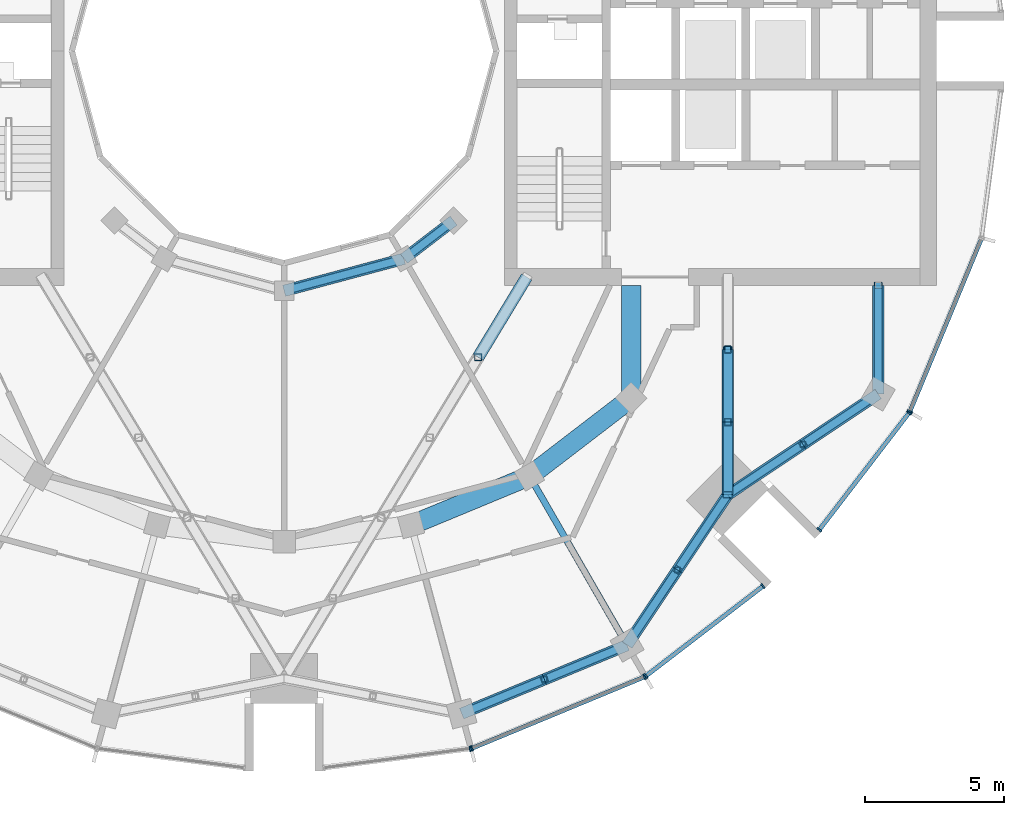
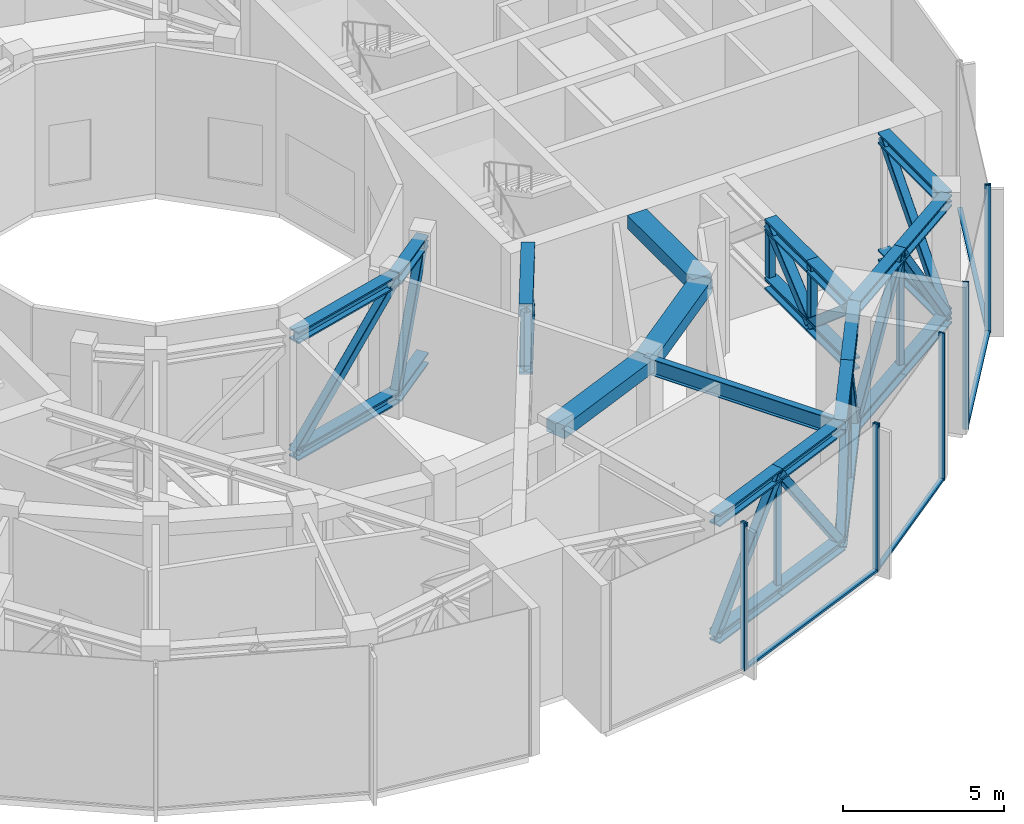
# One storey, part 5 of 18: 53 members, 4 beams, 5 elements without a shape of their own.
"""IFC4 building model written with IfcOpenShell, lengths in metres."""

from ifc_helpers import new_model, si_unit, direction, frame, origin, origin_2d, place, context, subcontext, project, spatial, rectangle, hollow_rectangle, i_section, extrude, material, layer, layer_set, material_profile, profile_set, type_object, element, aggregate, save


model = new_model("IFC4")

# Units and contexts
model_context = context("Model", 3, precision=1e-05, world=origin(), true_north=direction((0.0, 1.0)))
body_context = subcontext(model_context, "Body", "Model", "MODEL_VIEW")
ifc_project = project(units=[si_unit("LENGTHUNIT", "METRE"), si_unit("AREAUNIT", "SQUARE_METRE"), si_unit("VOLUMEUNIT", "CUBIC_METRE"), si_unit("PLANEANGLEUNIT", "RADIAN"), si_unit("MASSUNIT", "GRAM", prefix="KILO")], contexts=[model_context])

# Site, building, storey
site_placement = place(None, origin())
site = spatial("IfcSite", under=ifc_project, at=site_placement, CompositionType="ELEMENT")
building_placement = place(site_placement, origin())
building = spatial("IfcBuilding", under=site, at=building_placement, Name="Torre Brocal", CompositionType="ELEMENT")
storey_placement = place(building_placement, frame((0.0, 0.0, 206.89990234375)))
storey = spatial("IfcBuildingStorey", under=building, at=storey_placement, Name="L48", CompositionType="ELEMENT", Elevation=206.89990234375)

# Members
ifc_material_1 = material(Name="Steel A500 Grade C", Category="steel")
ifc_material_profile_1 = material_profile(ifc_material_1, hollow_rectangle(XDim=0.203125, YDim=0.203125, WallThickness=0.01171875, InnerFilletRadius=0.01171875, OuterFilletRadius=0.023681640625, at=origin_2d()), Name="HSS8X8X1/2")
ifc_profile_set_1 = profile_set([ifc_material_profile_1], Name="Steel A500 Grade C")
member_type_1 = type_object("IfcMemberType", Name="BELT 2 POST HSS8X8X1/2", PredefinedType="POST", material=ifc_profile_set_1)
for number, where, z_axis, x_axis, name in (
    (1, (89.33349609375, 52.467041015625, 0.6171875), (0.0, 0.0, 1.0), (1.0, 0.0, 0.0), "Member BT2-P16"),
    (2, (94.10498046875, 56.392822265625, 0.6171875), (0.0, 0.0, 1.0), (1.0, 0.0, 0.0), "Member BT2-P17"),
    (3, (98.607177734375, 60.89501953125, 0.6171875), (0.0, 0.0, 1.0), (1.0, 0.0, 0.0), "Member BT2-P18"),
):
    element("IfcMember", number, at=place(storey_placement, frame(where, z_axis=z_axis, x_axis=x_axis)), inside=storey, type_object=member_type_1, Name=name, PredefinedType="POST", context=body_context, shape_type="SweptSolid", body=[
        extrude(hollow_rectangle(XDim=0.203125, YDim=0.203125, WallThickness=0.01171875, InnerFilletRadius=0.01171875, OuterFilletRadius=0.023681640625, at=origin_2d()), origin(), (0.0, 0.0, 1.0), 4.44580078125),
    ])

# Curtain wall, member
ifc_material_2 = material(Name="Aluminium and glass", Category="aluminium")
ifc_layer = layer(ifc_material_2, 0.199951171875)
ifc_layer_set = layer_set([ifc_layer], Name="Aluminium and glass")
curtain_wall_type = type_object("IfcCurtainWallType", Name="CW-1 CURTAIN WALL 5600 HIGH", PredefinedType="NOTDEFINED", material=ifc_layer_set)
curtain_wall_1_placement = place(storey_placement, origin())
curtain_wall_1 = element("IfcCurtainWall", 4, at=curtain_wall_1_placement, inside=storey, type_object=curtain_wall_type, Name="CW-1 RUN 19", PredefinedType="NOTDEFINED")
ifc_material_3 = material(Name="Aluminium, dark anodised", Category="aluminium")
ifc_material_profile_2 = material_profile(ifc_material_3, rectangle(XDim=0.199951171875, YDim=0.06005859375, at=origin_2d()), Name="CW-1 MULLION 60X200")
ifc_profile_set_2 = profile_set([ifc_material_profile_2], Name="Aluminium, dark anodised")
member_type_2 = type_object("IfcMemberType", Name="CW-1 MULLION 60X200", PredefinedType="MULLION", material=ifc_profile_set_2)
member_1_placement = place(storey_placement, frame((86.67333984375, 49.9794921875, 0.0), z_axis=(0.0, 0.0, 1.0), x_axis=(-0.13052619222, 0.991444861374, 0.0)))
member_1 = element("IfcMember", 5, at=member_1_placement, type_object=member_type_2, Name="CW1-2 mullion 2", PredefinedType="MULLION", context=body_context, shape_type="SweptSolid", body=[
    extrude(rectangle(XDim=0.199951171875, YDim=0.06005859375, at=origin_2d()), origin(), (0.0, 0.0, 1.0), 5.60009765625),
])
aggregate(curtain_wall_1, [member_1])

# Curtain wall, members
curtain_wall_2_placement = place(storey_placement, origin())
curtain_wall_2 = element("IfcCurtainWall", 6, at=curtain_wall_2_placement, inside=storey, type_object=curtain_wall_type, Name="CW-1 RUN 20", PredefinedType="NOTDEFINED")
member_2_placement = place(storey_placement, frame((86.73095703125, 49.994873046875, 0.0), z_axis=(0.0, 0.0, 1.0), x_axis=(-0.382683432333, 0.923879532525, 0.0)))
member_2 = element("IfcMember", 7, at=member_2_placement, type_object=member_type_2, Name="CW1-2 mullion 1", PredefinedType="MULLION", context=body_context, shape_type="SweptSolid", body=[
    extrude(rectangle(XDim=0.199951171875, YDim=0.06005859375, at=origin_2d()), origin(), (0.0, 0.0, 1.0), 5.60009765625),
])
member_3_placement = place(storey_placement, frame((92.921875, 52.559326171875, 0.0), z_axis=(0.0, 0.0, 1.0), x_axis=(-0.382683432333, 0.923879532525, 0.0)))
member_3 = element("IfcMember", 8, at=member_3_placement, type_object=member_type_2, Name="CW1-2 mullion 2", PredefinedType="MULLION", context=body_context, shape_type="SweptSolid", body=[
    extrude(rectangle(XDim=0.199951171875, YDim=0.06005859375, at=origin_2d()), origin(), (0.0, 0.0, 1.0), 5.60009765625),
])

curtain_wall_3_placement = place(storey_placement, origin())
curtain_wall_3 = element("IfcCurtainWall", 9, at=curtain_wall_3_placement, inside=storey, type_object=curtain_wall_type, Name="CW-1 RUN 21", PredefinedType="NOTDEFINED")
member_4_placement = place(storey_placement, frame((92.973388671875, 52.5888671875, 0.0), z_axis=(0.0, 0.0, 1.0), x_axis=(-0.60876142905, 0.793353340259, 0.0)))
member_4 = element("IfcMember", 10, at=member_4_placement, type_object=member_type_2, Name="CW1-2 mullion 1", PredefinedType="MULLION", context=body_context, shape_type="SweptSolid", body=[
    extrude(rectangle(XDim=0.199951171875, YDim=0.06005859375, at=origin_2d()), origin(), (0.0, 0.0, 1.0), 5.60009765625),
])
member_5_placement = place(storey_placement, frame((97.16943359375, 55.80859375, 0.0), z_axis=(0.0, 0.0, 1.0), x_axis=(-0.60876142905, 0.793353340259, 0.0)))
member_5 = element("IfcMember", 11, at=member_5_placement, type_object=member_type_2, Name="CW1-2 mullion 2", PredefinedType="MULLION", context=body_context, shape_type="SweptSolid", body=[
    extrude(rectangle(XDim=0.199951171875, YDim=0.06005859375, at=origin_2d()), origin(), (0.0, 0.0, 1.0), 5.60009765625),
])

curtain_wall_4_placement = place(storey_placement, origin())
curtain_wall_4 = element("IfcCurtainWall", 12, at=curtain_wall_4_placement, inside=storey, type_object=curtain_wall_type, Name="CW-1 RUN 22", PredefinedType="NOTDEFINED")
member_6_placement = place(storey_placement, frame((99.19140625, 57.83056640625, 0.0), z_axis=(0.0, 0.0, 1.0), x_axis=(-0.793353340259, 0.60876142905, 0.0)))
member_6 = element("IfcMember", 13, at=member_6_placement, type_object=member_type_2, Name="CW1-2 mullion 1", PredefinedType="MULLION", context=body_context, shape_type="SweptSolid", body=[
    extrude(rectangle(XDim=0.199951171875, YDim=0.06005859375, at=origin_2d()), origin(), (0.0, 0.0, 1.0), 5.60009765625),
])
member_7_placement = place(storey_placement, frame((102.4111328125, 62.026611328125, 0.0), z_axis=(0.0, 0.0, 1.0), x_axis=(-0.793353340259, 0.60876142905, 0.0)))
member_7 = element("IfcMember", 14, at=member_7_placement, type_object=member_type_2, Name="CW1-2 mullion 2", PredefinedType="MULLION", context=body_context, shape_type="SweptSolid", body=[
    extrude(rectangle(XDim=0.199951171875, YDim=0.06005859375, at=origin_2d()), origin(), (0.0, 0.0, 1.0), 5.60009765625),
])

# Curtain wall, member
curtain_wall_5_placement = place(storey_placement, origin())
curtain_wall_5 = element("IfcCurtainWall", 15, at=curtain_wall_5_placement, inside=storey, type_object=curtain_wall_type, Name="CW-1 RUN 23", PredefinedType="NOTDEFINED")
member_8_placement = place(storey_placement, frame((102.440673828125, 62.078125, 0.0), z_axis=(0.0, 0.0, 1.0), x_axis=(-0.923879532525, 0.382683432333, 0.0)))
member_8 = element("IfcMember", 16, at=member_8_placement, type_object=member_type_2, Name="CW1-2 mullion 1", PredefinedType="MULLION", context=body_context, shape_type="SweptSolid", body=[
    extrude(rectangle(XDim=0.199951171875, YDim=0.06005859375, at=origin_2d()), origin(), (0.0, 0.0, 1.0), 5.60009765625),
])

# Member
ifc_material_4 = material(Name="Aluminium, dark anodised", Category="aluminium")
ifc_material_profile_3 = material_profile(ifc_material_4, rectangle(XDim=0.159912109375, YDim=0.080078125, at=origin_2d()), Name="CW-1 TRANSOM 160X80")
ifc_profile_set_3 = profile_set([ifc_material_profile_3], Name="Aluminium, dark anodised")
member_type_3 = type_object("IfcMemberType", Name="CW-1 TRANSOM 160X80", PredefinedType="USERDEFINED", material=ifc_profile_set_3)
member_9_placement = place(storey_placement, frame((86.758544921875, 50.00634765625, 0.0400390625), z_axis=(0.923887344364, 0.38266457234, 0.0), x_axis=(-0.38266457234, 0.923887344364, 0.0)))
member_9 = element("IfcMember", 17, at=member_9_placement, type_object=member_type_3, Name="CW1-2 transom 1.1", ObjectType="TRANSOM", PredefinedType="USERDEFINED", context=body_context, shape_type="SweptSolid", body=[
    extrude(rectangle(XDim=0.159912109375, YDim=0.080078125, at=origin_2d()), origin(), (0.0, 0.0, 1.0), 6.640869140625),
])

aggregate(curtain_wall_2, [member_2, member_3, member_9])

member_10_placement = place(storey_placement, frame((92.9970703125, 52.607177734375, 0.0400390625), z_axis=(0.79336281513, 0.60874908096, 0.0), x_axis=(-0.60874908096, 0.79336281513, 0.0)))
member_10 = element("IfcMember", 18, at=member_10_placement, type_object=member_type_3, Name="CW1-2 transom 1.1", ObjectType="TRANSOM", PredefinedType="USERDEFINED", context=body_context, shape_type="SweptSolid", body=[
    extrude(rectangle(XDim=0.159912109375, YDim=0.080078125, at=origin_2d()), origin(), (0.0, 0.0, 1.0), 5.22900390625),
])

aggregate(curtain_wall_3, [member_4, member_5, member_10])

member_11_placement = place(storey_placement, frame((99.209716796875, 57.8544921875, 0.0400390625), z_axis=(0.60874908096, 0.79336281513, 0.0), x_axis=(-0.79336281513, 0.60874908096, 0.0)))
member_11 = element("IfcMember", 19, at=member_11_placement, type_object=member_type_3, Name="CW1-2 transom 1.1", ObjectType="TRANSOM", PredefinedType="USERDEFINED", context=body_context, shape_type="SweptSolid", body=[
    extrude(rectangle(XDim=0.159912109375, YDim=0.080078125, at=origin_2d()), origin(), (0.0, 0.0, 1.0), 5.22900390625),
])

aggregate(curtain_wall_4, [member_6, member_7, member_11])

member_12_placement = place(storey_placement, frame((102.452392578125, 62.10595703125, 0.0400390625), z_axis=(0.38266457234, 0.923887344364, 0.0), x_axis=(-0.923887344364, 0.38266457234, 0.0)))
member_12 = element("IfcMember", 20, at=member_12_placement, type_object=member_type_3, Name="CW1-2 transom 1.1", ObjectType="TRANSOM", PredefinedType="USERDEFINED", context=body_context, shape_type="SweptSolid", body=[
    extrude(rectangle(XDim=0.159912109375, YDim=0.080078125, at=origin_2d()), origin(), (0.0, 0.0, 1.0), 6.640869140625),
])

aggregate(curtain_wall_5, [member_8, member_12])

# Members
ifc_material_5 = material(Name="Steel A500 Grade C", Category="steel")
ifc_material_profile_4 = material_profile(ifc_material_5, hollow_rectangle(XDim=0.25390625, YDim=0.25390625, WallThickness=0.01171875, InnerFilletRadius=0.01171875, OuterFilletRadius=0.023681640625, at=origin_2d()), Name="HSS10X10X1/2")
ifc_profile_set_4 = profile_set([ifc_material_profile_4], Name="Steel A500 Grade C")
member_type_4 = type_object("IfcMemberType", Name="OUTRIGGER 2 POST HSS10X10X1/2", PredefinedType="POST", material=ifc_profile_set_4)
member_13_placement = place(storey_placement, frame((86.9599609375, 64.02001953125, 2.848876953125), z_axis=(0.0, 0.0, 1.0), x_axis=(1.0, 0.0, 0.0)))
element("IfcMember", 21, at=member_13_placement, inside=storey, type_object=member_type_4, Name="Member OT2-P15", PredefinedType="POST", context=body_context, shape_type="SweptSolid", body=[
    extrude(hollow_rectangle(XDim=0.25390625, YDim=0.25390625, WallThickness=0.01171875, InnerFilletRadius=0.01171875, OuterFilletRadius=0.023681640625, at=origin_2d()), origin(), (0.0, 0.0, 1.0), 2.182373046875),
])
for number, where, z_axis, x_axis, name in (
    (22, (95.909912109375, 64.296630859375, 2.83251953125), (0.0, 0.0, 1.0), (1.0, 0.0, 0.0), "Member OT2-P23"),
    (23, (95.909912109375, 61.693359375, 2.83251953125), (0.0, 0.0, 1.0), (1.0, 0.0, 0.0), "Member OT2-P24"),
):
    element("IfcMember", number, at=place(storey_placement, frame(where, z_axis=z_axis, x_axis=x_axis)), inside=storey, type_object=member_type_4, Name=name, PredefinedType="POST", context=body_context, shape_type="SweptSolid", body=[
        extrude(hollow_rectangle(XDim=0.25390625, YDim=0.25390625, WallThickness=0.01171875, InnerFilletRadius=0.01171875, OuterFilletRadius=0.023681640625, at=origin_2d()), origin(), (0.0, 0.0, 1.0), 2.215087890625),
    ])

# Beams
ifc_material_6 = material(Name="Steel A992", Category="steel")
ifc_material_profile_5 = material_profile(ifc_material_6, i_section(OverallWidth=0.22900390625, OverallDepth=0.612060546875, WebThickness=0.011962890625, FlangeThickness=0.01953125, at=origin_2d()), Name="W24X84")
ifc_profile_set_5 = profile_set([ifc_material_profile_5], Name="Steel A992")
beam_type_1 = type_object("IfcBeamType", Name="PLANT FLOOR BEAM TOP 5280 W24X84", PredefinedType="BEAM", material=ifc_profile_set_5)
beam_1_placement = place(storey_placement, frame((88.800048828125, 59.758056640625, 4.97412109375), z_axis=(0.499995173006, -0.866028190633, 0.0), x_axis=(0.866028190633, 0.499995173006, 0.0)))
element("IfcBeam", 24, at=beam_1_placement, inside=storey, type_object=beam_type_1, Name="Beam SF-02", PredefinedType="BEAM", context=body_context, shape_type="SweptSolid", body=[
    extrude(i_section(OverallWidth=0.22900390625, OverallDepth=0.612060546875, WebThickness=0.011962890625, FlangeThickness=0.01953125, at=origin_2d()), origin(), (0.0, 0.0, 1.0), 7.0),
])
ifc_material_7 = material(Name="Concrete C50", Category="concrete")
ifc_material_profile_6 = material_profile(ifc_material_7, rectangle(XDim=0.699951171875, YDim=0.5, at=origin_2d()), Name="RC 700X500")
ifc_profile_set_6 = profile_set([ifc_material_profile_6], Name="Concrete C50")
beam_type_2 = type_object("IfcBeamType", Name="RC BEAM 700X500 C50 TOP 5280", PredefinedType="BEAM", material=ifc_profile_set_6)
beam_2_placement = place(storey_placement, frame((84.55517578125, 57.999755859375, 5.030029296875), z_axis=(0.923878240166, 0.382686552348, 0.0), x_axis=(-0.382686552348, 0.923878240166, 0.0)))
element("IfcBeam", 25, at=beam_2_placement, inside=storey, type_object=beam_type_2, Name="Beam BT-36", PredefinedType="BEAM", context=body_context, shape_type="SweptSolid", body=[
    extrude(rectangle(XDim=0.699951171875, YDim=0.5, at=origin_2d()), origin(), (0.0, 0.0, 1.0), 4.5947265625),
])
beam_3_placement = place(storey_placement, frame((88.800048828125, 59.758056640625, 5.030029296875), z_axis=(0.793358265959, 0.6087550097, 0.0), x_axis=(-0.6087550097, 0.793358265959, 0.0)))
element("IfcBeam", 26, at=beam_3_placement, inside=storey, type_object=beam_type_2, Name="Beam BT-36", PredefinedType="BEAM", context=body_context, shape_type="SweptSolid", body=[
    extrude(rectangle(XDim=0.699951171875, YDim=0.5, at=origin_2d()), origin(), (0.0, 0.0, 1.0), 4.594482421875),
])
beam_4_placement = place(storey_placement, frame((92.445068359375, 62.554931640625, 5.030029296875), z_axis=(0.0, 1.0, 0.0), x_axis=(-1.0, 0.0, 0.0)))
element("IfcBeam", 27, at=beam_4_placement, inside=storey, type_object=beam_type_2, Name="Beam BT-36", PredefinedType="BEAM", context=body_context, shape_type="SweptSolid", body=[
    extrude(rectangle(XDim=0.699951171875, YDim=0.5, at=origin_2d()), origin(), (0.0, 0.0, 1.0), 4.045166015625),
])

# Members
ifc_material_8 = material(Name="Steel A992", Category="steel")
ifc_material_profile_7 = material_profile(ifc_material_8, i_section(OverallWidth=0.41162109375, OverallDepth=0.434326171875, WebThickness=0.035888671875, FlangeThickness=0.057373046875, at=origin_2d()), Name="W14X311")
ifc_profile_set_7 = profile_set([ifc_material_profile_7], Name="Steel A992")
member_type_5 = type_object("IfcMemberType", Name="TRUSS BOTTOM CHORD W14X311", PredefinedType="CHORD", material=ifc_profile_set_7)
for number, where, z_axis, x_axis, name in (
    (28, (86.366943359375, 51.23828125, 0.6171875), (0.923882462513, 0.382676358639, 0.0), (-0.382676358639, 0.923882462513, 0.0), "Member BT2-C58"),
    (29, (89.33349609375, 52.467041015625, 0.6171875), (0.923882462513, 0.382676358639, 0.0), (-0.382676358639, 0.923882462513, 0.0), "Member BT2-C60"),
):
    element("IfcMember", number, at=place(storey_placement, frame(where, z_axis=z_axis, x_axis=x_axis)), inside=storey, type_object=member_type_5, Name=name, PredefinedType="CHORD", context=body_context, shape_type="SweptSolid", body=[
        extrude(i_section(OverallWidth=0.41162109375, OverallDepth=0.434326171875, WebThickness=0.035888671875, FlangeThickness=0.057373046875, at=origin_2d()), origin(), (0.0, 0.0, 1.0), 3.2109375),
    ])
for number, where, z_axis, x_axis, name in (
    (30, (92.300048828125, 53.69580078125, 0.6171875), (0.556174988166, 0.831065209559, 0.0), (-0.831065209559, 0.556174988166, 0.0), "Member BT2-C62"),
    (31, (94.10498046875, 56.392822265625, 0.6171875), (0.556140217242, 0.831088478302, 0.0), (-0.831088478302, 0.556140217242, 0.0), "Member BT2-C64"),
    (32, (95.909912109375, 59.090087890625, 0.6171875), (0.831088478302, 0.556140217242, 0.0), (-0.556140217242, 0.831088478302, 0.0), "Member BT2-C66"),
    (33, (98.607177734375, 60.89501953125, 0.6171875), (0.831065209559, 0.556174988166, 0.0), (-0.556174988166, 0.831065209559, 0.0), "Member BT2-C68"),
):
    element("IfcMember", number, at=place(storey_placement, frame(where, z_axis=z_axis, x_axis=x_axis)), inside=storey, type_object=member_type_5, Name=name, PredefinedType="CHORD", context=body_context, shape_type="SweptSolid", body=[
        extrude(i_section(OverallWidth=0.41162109375, OverallDepth=0.434326171875, WebThickness=0.035888671875, FlangeThickness=0.057373046875, at=origin_2d()), origin(), (0.0, 0.0, 1.0), 3.245361328125),
    ])
member_14_placement = place(storey_placement, frame((101.30419921875, 62.699951171875, 0.6171875), z_axis=(0.0, 1.0, 0.0), x_axis=(-1.0, 0.0, 0.0)))
element("IfcMember", 34, at=member_14_placement, inside=storey, type_object=member_type_5, Name="Member BT2-C70", PredefinedType="CHORD", context=body_context, shape_type="SweptSolid", body=[
    extrude(i_section(OverallWidth=0.41162109375, OverallDepth=0.434326171875, WebThickness=0.035888671875, FlangeThickness=0.057373046875, at=origin_2d()), origin(), (0.0, 0.0, 1.0), 3.900146484375),
])
member_15_placement = place(storey_placement, frame((80.0, 66.39990234375, 0.6171875), z_axis=(0.965917450527, 0.25885030185, 0.0), x_axis=(-0.25885030185, 0.965917450527, 0.0)))
element("IfcMember", 35, at=member_15_placement, inside=storey, type_object=member_type_5, Name="Member BT2-C86", PredefinedType="CHORD", context=body_context, shape_type="SweptSolid", body=[
    extrude(i_section(OverallWidth=0.41162109375, OverallDepth=0.434326171875, WebThickness=0.035888671875, FlangeThickness=0.057373046875, at=origin_2d()), origin(), (0.0, 0.0, 1.0), 4.45166015625),
])
member_16_placement = place(storey_placement, frame((84.300048828125, 67.55224609375, 0.6171875), z_axis=(0.793334976885, 0.608785359918, 0.0), x_axis=(-0.608785359918, 0.793334976885, 0.0)))
element("IfcMember", 36, at=member_16_placement, inside=storey, type_object=member_type_5, Name="Member BT2-C88", PredefinedType="CHORD", context=body_context, shape_type="SweptSolid", body=[
    extrude(i_section(OverallWidth=0.41162109375, OverallDepth=0.434326171875, WebThickness=0.035888671875, FlangeThickness=0.057373046875, at=origin_2d()), origin(), (0.0, 0.0, 1.0), 2.244873046875),
])
ifc_material_9 = material(Name="Steel A992", Category="steel")
ifc_material_profile_8 = material_profile(ifc_material_9, i_section(OverallWidth=0.421630859375, OverallDepth=0.46484375, WebThickness=0.044921875, FlangeThickness=0.072509765625, at=origin_2d()), Name="W14X398")
ifc_profile_set_8 = profile_set([ifc_material_profile_8], Name="Steel A992")
member_type_6 = type_object("IfcMemberType", Name="TRUSS BOTTOM CHORD W14X398", PredefinedType="CHORD", material=ifc_profile_set_8)
for number, where, z_axis, x_axis, name in (
    (37, (95.909912109375, 64.296630859375, 2.83251953125), (0.0, -1.0, 0.0), (1.0, 0.0, 0.0), "Member OT2-C62"),
    (38, (95.909912109375, 61.693359375, 2.83251953125), (0.0, -1.0, 0.0), (1.0, 0.0, 0.0), "Member OT2-C64"),
):
    element("IfcMember", number, at=place(storey_placement, frame(where, z_axis=z_axis, x_axis=x_axis)), inside=storey, type_object=member_type_6, Name=name, PredefinedType="CHORD", context=body_context, shape_type="SweptSolid", body=[
        extrude(i_section(OverallWidth=0.421630859375, OverallDepth=0.46484375, WebThickness=0.044921875, FlangeThickness=0.072509765625, at=origin_2d()), origin(), (0.0, 0.0, 1.0), 2.603271484375),
    ])
ifc_material_10 = material(Name="Steel A992", Category="steel")
ifc_material_profile_9 = material_profile(ifc_material_10, i_section(OverallWidth=0.431884765625, OverallDepth=0.497802734375, WebThickness=0.0556640625, FlangeThickness=0.0888671875, at=origin_2d()), Name="W14X500")
ifc_profile_set_9 = profile_set([ifc_material_profile_9], Name="Steel A992")
member_type_7 = type_object("IfcMemberType", Name="TRUSS BOTTOM CHORD W14X500", PredefinedType="CHORD", material=ifc_profile_set_9)
member_17_placement = place(storey_placement, frame((88.699951171875, 66.89990234375, 2.848876953125), z_axis=(-0.517128928912, -0.855907513042, 0.0), x_axis=(0.855907513042, -0.517128928912, 0.0)))
element("IfcMember", 39, at=member_17_placement, inside=storey, type_object=member_type_7, Name="Member OT2-C40", PredefinedType="CHORD", context=body_context, shape_type="SweptSolid", body=[
    extrude(i_section(OverallWidth=0.431884765625, OverallDepth=0.497802734375, WebThickness=0.0556640625, FlangeThickness=0.0888671875, at=origin_2d()), origin(), (0.0, 0.0, 1.0), 3.36474609375),
])
ifc_material_11 = material(Name="Steel A500 Grade C", Category="steel")
ifc_material_profile_10 = material_profile(ifc_material_11, hollow_rectangle(XDim=0.3046875, YDim=0.3046875, WallThickness=0.014892578125, InnerFilletRadius=0.014892578125, OuterFilletRadius=0.029541015625, at=origin_2d()), Name="HSS12X12X5/8")
ifc_profile_set_10 = profile_set([ifc_material_profile_10], Name="Steel A500 Grade C")
member_type_8 = type_object("IfcMemberType", Name="TRUSS DIAGONAL HSS12X12X5/8", PredefinedType="BRACE", material=ifc_profile_set_10)
for number, where, z_axis, x_axis, name in (
    (40, (86.366943359375, 51.23828125, 0.6171875), (0.540936327558, 0.22405831097, 0.810669946904), (-0.382676358639, 0.923882462513, 0.0), "Member BT2-D29"),
    (41, (89.33349609375, 52.467041015625, 5.06298828125), (0.540936327558, 0.22405831097, -0.810669946904), (-0.382676358639, 0.923882462513, 0.0), "Member BT2-D30"),
):
    element("IfcMember", number, at=place(storey_placement, frame(where, z_axis=z_axis, x_axis=x_axis)), inside=storey, type_object=member_type_8, Name=name, PredefinedType="BRACE", context=body_context, shape_type="SweptSolid", body=[
        extrude(hollow_rectangle(XDim=0.3046875, YDim=0.3046875, WallThickness=0.014892578125, InnerFilletRadius=0.014892578125, OuterFilletRadius=0.029541015625, at=origin_2d()), origin(), (0.0, 0.0, 1.0), 5.484130859375),
    ])
member_18_placement = place(storey_placement, frame((92.300048828125, 53.69580078125, 0.6171875), z_axis=(0.327915568587, 0.489988270821, 0.807702218851), x_axis=(-0.831065209559, 0.556174988166, 0.0)))
element("IfcMember", 42, at=member_18_placement, inside=storey, type_object=member_type_8, Name="Member BT2-D31", PredefinedType="BRACE", context=body_context, shape_type="SweptSolid", body=[
    extrude(hollow_rectangle(XDim=0.3046875, YDim=0.3046875, WallThickness=0.014892578125, InnerFilletRadius=0.014892578125, OuterFilletRadius=0.029541015625, at=origin_2d()), origin(), (0.0, 0.0, 1.0), 5.504150390625),
])
for number, where, z_axis, x_axis, name in (
    (43, (94.10498046875, 56.392822265625, 5.06298828125), (0.327908441787, 0.490021975499, -0.80768466454), (-0.831088478302, 0.556140217242, 0.0), "Member BT2-D32"),
    (44, (95.909912109375, 59.090087890625, 0.6171875), (0.490021975499, 0.327908441787, 0.80768466454), (-0.556140217242, 0.831088478302, 0.0), "Member BT2-D33"),
):
    element("IfcMember", number, at=place(storey_placement, frame(where, z_axis=z_axis, x_axis=x_axis)), inside=storey, type_object=member_type_8, Name=name, PredefinedType="BRACE", context=body_context, shape_type="SweptSolid", body=[
        extrude(hollow_rectangle(XDim=0.3046875, YDim=0.3046875, WallThickness=0.014892578125, InnerFilletRadius=0.014892578125, OuterFilletRadius=0.029541015625, at=origin_2d()), origin(), (0.0, 0.0, 1.0), 5.50439453125),
    ])
member_19_placement = place(storey_placement, frame((98.607177734375, 60.89501953125, 5.06298828125), z_axis=(0.489988270821, 0.327915568587, -0.807702218851), x_axis=(-0.556174988166, 0.831065209559, 0.0)))
element("IfcMember", 45, at=member_19_placement, inside=storey, type_object=member_type_8, Name="Member BT2-D34", PredefinedType="BRACE", context=body_context, shape_type="SweptSolid", body=[
    extrude(hollow_rectangle(XDim=0.3046875, YDim=0.3046875, WallThickness=0.014892578125, InnerFilletRadius=0.014892578125, OuterFilletRadius=0.029541015625, at=origin_2d()), origin(), (0.0, 0.0, 1.0), 5.504150390625),
])
member_20_placement = place(storey_placement, frame((101.30419921875, 62.699951171875, 0.6171875), z_axis=(0.0, 0.659468514834, 0.751732184985), x_axis=(-1.0, 0.0, 0.0)))
element("IfcMember", 46, at=member_20_placement, inside=storey, type_object=member_type_8, Name="Member BT2-D35", PredefinedType="BRACE", context=body_context, shape_type="SweptSolid", body=[
    extrude(hollow_rectangle(XDim=0.3046875, YDim=0.3046875, WallThickness=0.014892578125, InnerFilletRadius=0.014892578125, OuterFilletRadius=0.029541015625, at=origin_2d()), origin(), (0.0, 0.0, 1.0), 5.9140625),
])
member_21_placement = place(storey_placement, frame((80.0, 66.39990234375, 0.6171875), z_axis=(0.683465358203, 0.183157695493, 0.706631702316), x_axis=(-0.25885030185, 0.965917450527, 0.0)))
element("IfcMember", 47, at=member_21_placement, inside=storey, type_object=member_type_8, Name="Member BT2-D43", PredefinedType="BRACE", context=body_context, shape_type="SweptSolid", body=[
    extrude(hollow_rectangle(XDim=0.3046875, YDim=0.3046875, WallThickness=0.014892578125, InnerFilletRadius=0.014892578125, OuterFilletRadius=0.029541015625, at=origin_2d()), origin(), (0.0, 0.0, 1.0), 6.29150390625),
])
member_22_placement = place(storey_placement, frame((84.300048828125, 67.55224609375, 0.6171875), z_axis=(0.357598585289, 0.274412183749, 0.89264842195), x_axis=(-0.608785359918, 0.793334976885, 0.0)))
element("IfcMember", 48, at=member_22_placement, inside=storey, type_object=member_type_8, Name="Member BT2-D44", PredefinedType="BRACE", context=body_context, shape_type="SweptSolid", body=[
    extrude(hollow_rectangle(XDim=0.3046875, YDim=0.3046875, WallThickness=0.014892578125, InnerFilletRadius=0.014892578125, OuterFilletRadius=0.029541015625, at=origin_2d()), origin(), (0.0, 0.0, 1.0), 4.98046875),
])
ifc_material_12 = material(Name="Steel A500 Grade C", Category="steel")
ifc_material_profile_11 = material_profile(ifc_material_12, hollow_rectangle(XDim=0.355712890625, YDim=0.355712890625, WallThickness=0.014892578125, InnerFilletRadius=0.014892578125, OuterFilletRadius=0.029541015625, at=origin_2d()), Name="HSS14X14X5/8")
ifc_profile_set_11 = profile_set([ifc_material_profile_11], Name="Steel A500 Grade C")
member_type_9 = type_object("IfcMemberType", Name="TRUSS DIAGONAL HSS14X14X5/8", PredefinedType="BRACE", material=ifc_profile_set_11)
for number, where, z_axis, x_axis, name in (
    (49, (95.909912109375, 64.296630859375, 5.047607421875), (0.0, -0.761606141617, -0.648040187836), (1.0, 0.0, 0.0), "Member OT2-D31"),
    (50, (95.909912109375, 61.693359375, 2.83251953125), (0.0, -0.761606141617, 0.648040187836), (1.0, 0.0, 0.0), "Member OT2-D32"),
):
    element("IfcMember", number, at=place(storey_placement, frame(where, z_axis=z_axis, x_axis=x_axis)), inside=storey, type_object=member_type_9, Name=name, PredefinedType="BRACE", context=body_context, shape_type="SweptSolid", body=[
        extrude(hollow_rectangle(XDim=0.355712890625, YDim=0.355712890625, WallThickness=0.014892578125, InnerFilletRadius=0.014892578125, OuterFilletRadius=0.029541015625, at=origin_2d()), origin(), (0.0, 0.0, 1.0), 3.418212890625),
    ])
ifc_material_13 = material(Name="Steel A992", Category="steel")
ifc_material_profile_12 = material_profile(ifc_material_13, i_section(OverallWidth=0.41162109375, OverallDepth=0.434326171875, WebThickness=0.035888671875, FlangeThickness=0.057373046875, at=origin_2d()), Name="W14X311")
ifc_profile_set_12 = profile_set([ifc_material_profile_12], Name="Steel A992")
member_type_10 = type_object("IfcMemberType", Name="TRUSS TOP CHORD W14X311", PredefinedType="CHORD", material=ifc_profile_set_12)
for number, where, z_axis, x_axis, name in (
    (51, (86.366943359375, 51.23828125, 5.06298828125), (0.923882462513, 0.382676358639, 0.0), (-0.382676358639, 0.923882462513, 0.0), "Member BT2-C57"),
    (52, (89.33349609375, 52.467041015625, 5.06298828125), (0.923882462513, 0.382676358639, 0.0), (-0.382676358639, 0.923882462513, 0.0), "Member BT2-C59"),
):
    element("IfcMember", number, at=place(storey_placement, frame(where, z_axis=z_axis, x_axis=x_axis)), inside=storey, type_object=member_type_10, Name=name, PredefinedType="CHORD", context=body_context, shape_type="SweptSolid", body=[
        extrude(i_section(OverallWidth=0.41162109375, OverallDepth=0.434326171875, WebThickness=0.035888671875, FlangeThickness=0.057373046875, at=origin_2d()), origin(), (0.0, 0.0, 1.0), 3.2109375),
    ])
for number, where, z_axis, x_axis, name in (
    (53, (92.300048828125, 53.69580078125, 5.06298828125), (0.556174988166, 0.831065209559, 0.0), (-0.831065209559, 0.556174988166, 0.0), "Member BT2-C61"),
    (54, (94.10498046875, 56.392822265625, 5.06298828125), (0.556140217242, 0.831088478302, 0.0), (-0.831088478302, 0.556140217242, 0.0), "Member BT2-C63"),
    (55, (95.909912109375, 59.090087890625, 5.06298828125), (0.831088478302, 0.556140217242, 0.0), (-0.556140217242, 0.831088478302, 0.0), "Member BT2-C65"),
    (56, (98.607177734375, 60.89501953125, 5.06298828125), (0.831065209559, 0.556174988166, 0.0), (-0.556174988166, 0.831065209559, 0.0), "Member BT2-C67"),
):
    element("IfcMember", number, at=place(storey_placement, frame(where, z_axis=z_axis, x_axis=x_axis)), inside=storey, type_object=member_type_10, Name=name, PredefinedType="CHORD", context=body_context, shape_type="SweptSolid", body=[
        extrude(i_section(OverallWidth=0.41162109375, OverallDepth=0.434326171875, WebThickness=0.035888671875, FlangeThickness=0.057373046875, at=origin_2d()), origin(), (0.0, 0.0, 1.0), 3.245361328125),
    ])
member_23_placement = place(storey_placement, frame((101.30419921875, 62.699951171875, 5.06298828125), z_axis=(0.0, 1.0, 0.0), x_axis=(-1.0, 0.0, 0.0)))
element("IfcMember", 57, at=member_23_placement, inside=storey, type_object=member_type_10, Name="Member BT2-C69", PredefinedType="CHORD", context=body_context, shape_type="SweptSolid", body=[
    extrude(i_section(OverallWidth=0.41162109375, OverallDepth=0.434326171875, WebThickness=0.035888671875, FlangeThickness=0.057373046875, at=origin_2d()), origin(), (0.0, 0.0, 1.0), 3.900146484375),
])
member_24_placement = place(storey_placement, frame((80.0, 66.39990234375, 5.06298828125), z_axis=(0.965917450527, 0.25885030185, 0.0), x_axis=(-0.25885030185, 0.965917450527, 0.0)))
element("IfcMember", 58, at=member_24_placement, inside=storey, type_object=member_type_10, Name="Member BT2-C85", PredefinedType="CHORD", context=body_context, shape_type="SweptSolid", body=[
    extrude(i_section(OverallWidth=0.41162109375, OverallDepth=0.434326171875, WebThickness=0.035888671875, FlangeThickness=0.057373046875, at=origin_2d()), origin(), (0.0, 0.0, 1.0), 4.45166015625),
])
member_25_placement = place(storey_placement, frame((84.300048828125, 67.55224609375, 5.06298828125), z_axis=(0.793334976885, 0.608785359918, 0.0), x_axis=(-0.608785359918, 0.793334976885, 0.0)))
element("IfcMember", 59, at=member_25_placement, inside=storey, type_object=member_type_10, Name="Member BT2-C87", PredefinedType="CHORD", context=body_context, shape_type="SweptSolid", body=[
    extrude(i_section(OverallWidth=0.41162109375, OverallDepth=0.434326171875, WebThickness=0.035888671875, FlangeThickness=0.057373046875, at=origin_2d()), origin(), (0.0, 0.0, 1.0), 2.244873046875),
])
ifc_material_14 = material(Name="Steel A992", Category="steel")
ifc_material_profile_13 = material_profile(ifc_material_14, i_section(OverallWidth=0.421630859375, OverallDepth=0.46484375, WebThickness=0.044921875, FlangeThickness=0.072509765625, at=origin_2d()), Name="W14X398")
ifc_profile_set_13 = profile_set([ifc_material_profile_13], Name="Steel A992")
member_type_11 = type_object("IfcMemberType", Name="TRUSS TOP CHORD W14X398", PredefinedType="CHORD", material=ifc_profile_set_13)
for number, where, z_axis, x_axis, name in (
    (60, (95.909912109375, 64.296630859375, 5.047607421875), (0.0, -1.0, 0.0), (1.0, 0.0, 0.0), "Member OT2-C61"),
    (61, (95.909912109375, 61.693359375, 5.047607421875), (0.0, -1.0, 0.0), (1.0, 0.0, 0.0), "Member OT2-C63"),
):
    element("IfcMember", number, at=place(storey_placement, frame(where, z_axis=z_axis, x_axis=x_axis)), inside=storey, type_object=member_type_11, Name=name, PredefinedType="CHORD", context=body_context, shape_type="SweptSolid", body=[
        extrude(i_section(OverallWidth=0.421630859375, OverallDepth=0.46484375, WebThickness=0.044921875, FlangeThickness=0.072509765625, at=origin_2d()), origin(), (0.0, 0.0, 1.0), 2.603271484375),
    ])
ifc_material_15 = material(Name="Steel A992", Category="steel")
ifc_material_profile_14 = material_profile(ifc_material_15, i_section(OverallWidth=0.431884765625, OverallDepth=0.497802734375, WebThickness=0.0556640625, FlangeThickness=0.0888671875, at=origin_2d()), Name="W14X500")
ifc_profile_set_14 = profile_set([ifc_material_profile_14], Name="Steel A992")
member_type_12 = type_object("IfcMemberType", Name="TRUSS TOP CHORD W14X500", PredefinedType="CHORD", material=ifc_profile_set_14)
member_26_placement = place(storey_placement, frame((88.699951171875, 66.89990234375, 5.03125), z_axis=(-0.517128928912, -0.855907513042, 0.0), x_axis=(0.855907513042, -0.517128928912, 0.0)))
element("IfcMember", 62, at=member_26_placement, inside=storey, type_object=member_type_12, Name="Member OT2-C39", PredefinedType="CHORD", context=body_context, shape_type="SweptSolid", body=[
    extrude(i_section(OverallWidth=0.431884765625, OverallDepth=0.497802734375, WebThickness=0.0556640625, FlangeThickness=0.0888671875, at=origin_2d()), origin(), (0.0, 0.0, 1.0), 3.36474609375),
])

save(model, "model.ifc")
